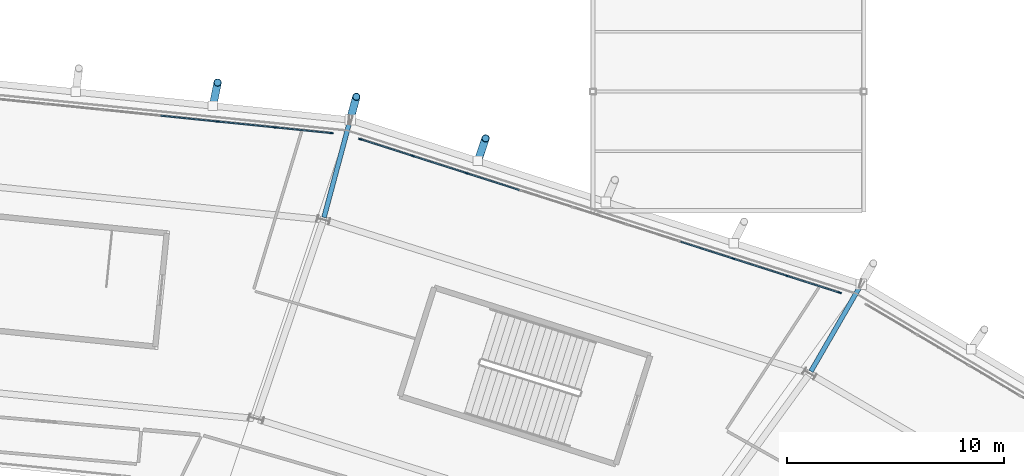
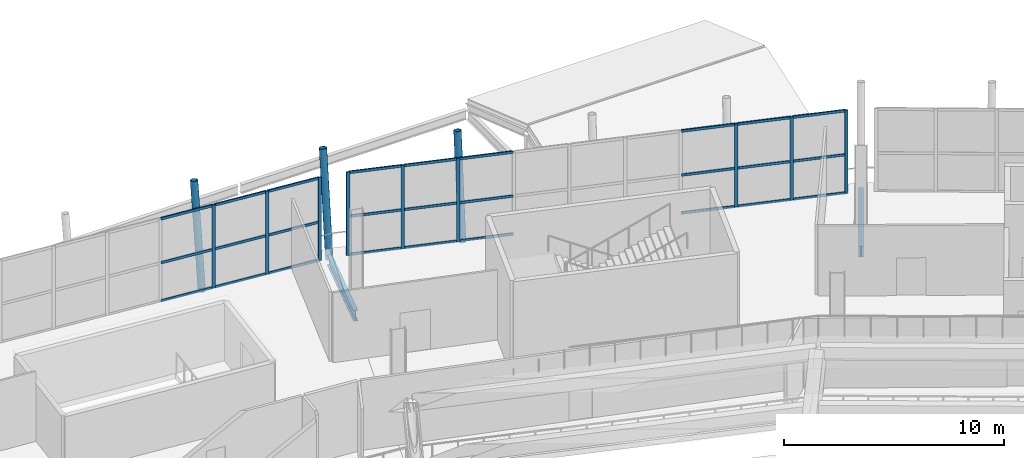
# One storey, part 57 of 126: 39 members, 2 beams, 2 elements without a shape of their own.
"""IFC4 building model written with IfcOpenShell, lengths in metres."""

from ifc_helpers import new_model, si_unit, direction, frame, origin, origin_2d, place, context, subcontext, project, spatial, rectangle, hollow_circle, i_section, extrude, material, material_profile, profile_set, type_object, element, aggregate, save


model = new_model("IFC4")

# Units and contexts
model_context = context("Model", 3, precision=1e-05, world=origin(), true_north=direction((0.0, 1.0)))
body_context = subcontext(model_context, "Body", "Model", "MODEL_VIEW")
ifc_project = project(units=[si_unit("LENGTHUNIT", "METRE"), si_unit("AREAUNIT", "SQUARE_METRE"), si_unit("VOLUMEUNIT", "CUBIC_METRE"), si_unit("PLANEANGLEUNIT", "RADIAN"), si_unit("MASSUNIT", "GRAM", prefix="KILO")], contexts=[model_context])

# Site, building, storey
site_placement = place(None, origin())
site = spatial("IfcSite", under=ifc_project, at=site_placement, CompositionType="ELEMENT")
building_placement = place(site_placement, origin())
building = spatial("IfcBuilding", under=site, at=building_placement, Name="Zlatoyarsky Gate Stadium", CompositionType="ELEMENT")
storey_placement = place(building_placement, frame((0.0, 0.0, 20.800048828125)))
storey = spatial("IfcBuildingStorey", under=building, at=storey_placement, Name="L04", CompositionType="ELEMENT", Elevation=20.800048828125)

# Curtain wall, members
ifc_material_1 = material(Name="Thermally broken anodised aluminium curtain wall", Category="aluminium")
curtain_wall_type = type_object("IfcCurtainWallType", Name="UNITISED MEDIA RING GLAZING L04", PredefinedType="USERDEFINED", material=ifc_material_1)
curtain_wall_1_placement = place(storey_placement, origin())
curtain_wall_1 = element("IfcCurtainWall", 1, at=curtain_wall_1_placement, inside=storey, type_object=curtain_wall_type, Name="Curtain wall CW-L04-04", ObjectType="UNITISED GLAZING", PredefinedType="USERDEFINED")
ifc_material_2 = material(Name="Anodised aluminium 6063-T6", Category="aluminium")
ifc_material_profile_1 = material_profile(ifc_material_2, rectangle(XDim=0.06494140625, YDim=0.159912109375, at=origin_2d()), Name="ALU 65X160")
ifc_profile_set_1 = profile_set([ifc_material_profile_1], Name="Anodised aluminium 6063-T6")
member_type_1 = type_object("IfcMemberType", Name="ALUMINIUM MULLION 65X160", PredefinedType="MULLION", material=ifc_profile_set_1)
member_1_placement = place(storey_placement, frame((158.884765625, 145.220458984375, 0.0), z_axis=(0.0, 0.0, 1.0), x_axis=(-0.305065730928, -0.952331297298, 0.0)))
member_1 = element("IfcMember", 2, at=member_1_placement, type_object=member_type_1, Name="CW-UG4 mullion 1", PredefinedType="MULLION", context=body_context, shape_type="SweptSolid", body=[
    extrude(rectangle(XDim=0.06494140625, YDim=0.159912109375, at=origin_2d()), origin(), (0.0, 0.0, 1.0), 4.619873046875),
])
member_2_placement = place(storey_placement, frame((156.4521484375, 145.999755859375, 0.0), z_axis=(0.0, 0.0, 1.0), x_axis=(-0.305065730928, -0.952331297298, 0.0)))
member_2 = element("IfcMember", 3, at=member_2_placement, type_object=member_type_1, Name="CW-UG4 mullion 2", PredefinedType="MULLION", context=body_context, shape_type="SweptSolid", body=[
    extrude(rectangle(XDim=0.06494140625, YDim=0.159912109375, at=origin_2d()), origin(), (0.0, 0.0, 1.0), 4.619873046875),
])
member_3_placement = place(storey_placement, frame((153.98828125, 146.788818359375, 0.0), z_axis=(0.0, 0.0, 1.0), x_axis=(-0.305065730928, -0.952331297298, 0.0)))
member_3 = element("IfcMember", 4, at=member_3_placement, type_object=member_type_1, Name="CW-UG4 mullion 3", PredefinedType="MULLION", context=body_context, shape_type="SweptSolid", body=[
    extrude(rectangle(XDim=0.06494140625, YDim=0.159912109375, at=origin_2d()), origin(), (0.0, 0.0, 1.0), 4.619873046875),
])
member_4_placement = place(storey_placement, frame((141.669921875, 150.73486328125, 0.0), z_axis=(0.0, 0.0, 1.0), x_axis=(-0.305065730928, -0.952331297298, 0.0)))
member_4 = element("IfcMember", 5, at=member_4_placement, type_object=member_type_1, Name="CW-UG4 mullion 8", PredefinedType="MULLION", context=body_context, shape_type="SweptSolid", body=[
    extrude(rectangle(XDim=0.06494140625, YDim=0.159912109375, at=origin_2d()), origin(), (0.0, 0.0, 1.0), 4.619873046875),
])
member_5_placement = place(storey_placement, frame((139.206298828125, 151.524169921875, 0.0), z_axis=(0.0, 0.0, 1.0), x_axis=(-0.305065730928, -0.952331297298, 0.0)))
member_5 = element("IfcMember", 6, at=member_5_placement, type_object=member_type_1, Name="CW-UG4 mullion 9", PredefinedType="MULLION", context=body_context, shape_type="SweptSolid", body=[
    extrude(rectangle(XDim=0.06494140625, YDim=0.159912109375, at=origin_2d()), origin(), (0.0, 0.0, 1.0), 4.619873046875),
])
member_6_placement = place(storey_placement, frame((136.7734375, 152.303466796875, 0.0), z_axis=(0.0, 0.0, 1.0), x_axis=(-0.305065730928, -0.952331297298, 0.0)))
member_6 = element("IfcMember", 7, at=member_6_placement, type_object=member_type_1, Name="CW-UG4 mullion 10", PredefinedType="MULLION", context=body_context, shape_type="SweptSolid", body=[
    extrude(rectangle(XDim=0.06494140625, YDim=0.159912109375, at=origin_2d()), origin(), (0.0, 0.0, 1.0), 4.619873046875),
])

curtain_wall_2_placement = place(storey_placement, origin())
curtain_wall_2 = element("IfcCurtainWall", 8, at=curtain_wall_2_placement, inside=storey, type_object=curtain_wall_type, Name="Curtain wall CW-L04-05", ObjectType="UNITISED GLAZING", PredefinedType="USERDEFINED")
member_7_placement = place(storey_placement, frame((135.444580078125, 152.580810546875, 0.0), z_axis=(0.0, 0.0, 1.0), x_axis=(-0.10129293102, -0.994856644007, 0.0)))
member_7 = element("IfcMember", 9, at=member_7_placement, type_object=member_type_1, Name="CW-UG4 mullion 1", PredefinedType="MULLION", context=body_context, shape_type="SweptSolid", body=[
    extrude(rectangle(XDim=0.06494140625, YDim=0.159912109375, at=origin_2d()), origin(), (0.0, 0.0, 1.0), 4.619873046875),
])
member_8_placement = place(storey_placement, frame((132.8291015625, 152.84716796875, 0.0), z_axis=(0.0, 0.0, 1.0), x_axis=(-0.10129293102, -0.994856644007, 0.0)))
member_8 = element("IfcMember", 10, at=member_8_placement, type_object=member_type_1, Name="CW-UG4 mullion 2", PredefinedType="MULLION", context=body_context, shape_type="SweptSolid", body=[
    extrude(rectangle(XDim=0.06494140625, YDim=0.159912109375, at=origin_2d()), origin(), (0.0, 0.0, 1.0), 4.619873046875),
])
member_9_placement = place(storey_placement, frame((130.18115234375, 153.11669921875, 0.0), z_axis=(0.0, 0.0, 1.0), x_axis=(-0.10129293102, -0.994856644007, 0.0)))
member_9 = element("IfcMember", 11, at=member_9_placement, type_object=member_type_1, Name="CW-UG4 mullion 3", PredefinedType="MULLION", context=body_context, shape_type="SweptSolid", body=[
    extrude(rectangle(XDim=0.06494140625, YDim=0.159912109375, at=origin_2d()), origin(), (0.0, 0.0, 1.0), 4.619873046875),
])

# Member
ifc_material_profile_2 = material_profile(ifc_material_2, rectangle(XDim=0.06494140625, YDim=0.139892578125, at=origin_2d()), Name="ALU 65X140")
ifc_profile_set_2 = profile_set([ifc_material_profile_2], Name="Anodised aluminium 6063-T6")
member_type_2 = type_object("IfcMemberType", Name="ALUMINIUM TRANSOM 65X140", PredefinedType="USERDEFINED", material=ifc_profile_set_2)
member_10_placement = place(storey_placement, frame((158.85400390625, 145.230224609375, 0.032470703125), z_axis=(-0.952325033937, 0.305085282729, 0.0), x_axis=(-0.305085282729, -0.952325033937, 0.0)))
member_10 = element("IfcMember", 12, at=member_10_placement, type_object=member_type_2, Name="CW-UG4 transom 1.1", ObjectType="TRANSOM", PredefinedType="USERDEFINED", context=body_context, shape_type="SweptSolid", body=[
    extrude(rectangle(XDim=0.06494140625, YDim=0.139892578125, at=origin_2d()), origin(), (0.0, 0.0, 1.0), 2.489501953125),
])

member_11_placement = place(storey_placement, frame((158.85400390625, 145.230224609375, 2.14990234375), z_axis=(-0.952325033937, 0.305085282729, 0.0), x_axis=(-0.305085282729, -0.952325033937, 0.0)))
member_11 = element("IfcMember", 13, at=member_11_placement, type_object=member_type_2, Name="CW-UG4 transom 1.2", ObjectType="TRANSOM", PredefinedType="USERDEFINED", context=body_context, shape_type="SweptSolid", body=[
    extrude(rectangle(XDim=0.06494140625, YDim=0.139892578125, at=origin_2d()), origin(), (0.0, 0.0, 1.0), 2.489501953125),
])

member_12_placement = place(storey_placement, frame((158.85400390625, 145.230224609375, 4.58740234375), z_axis=(-0.952325033937, 0.305085282729, 0.0), x_axis=(-0.305085282729, -0.952325033937, 0.0)))
member_12 = element("IfcMember", 14, at=member_12_placement, type_object=member_type_2, Name="CW-UG4 transom 1.3", ObjectType="TRANSOM", PredefinedType="USERDEFINED", context=body_context, shape_type="SweptSolid", body=[
    extrude(rectangle(XDim=0.06494140625, YDim=0.139892578125, at=origin_2d()), origin(), (0.0, 0.0, 1.0), 2.489501953125),
])

member_13_placement = place(storey_placement, frame((156.421142578125, 146.009521484375, 0.032470703125), z_axis=(-0.95231618878, 0.305112891546, 0.0), x_axis=(-0.305112891546, -0.95231618878, 0.0)))
member_13 = element("IfcMember", 15, at=member_13_placement, type_object=member_type_2, Name="CW-UG4 transom 2.1", ObjectType="TRANSOM", PredefinedType="USERDEFINED", context=body_context, shape_type="SweptSolid", body=[
    extrude(rectangle(XDim=0.06494140625, YDim=0.139892578125, at=origin_2d()), origin(), (0.0, 0.0, 1.0), 2.522216796875),
])

member_14_placement = place(storey_placement, frame((156.421142578125, 146.009521484375, 2.14990234375), z_axis=(-0.95231618878, 0.305112891546, 0.0), x_axis=(-0.305112891546, -0.95231618878, 0.0)))
member_14 = element("IfcMember", 16, at=member_14_placement, type_object=member_type_2, Name="CW-UG4 transom 2.2", ObjectType="TRANSOM", PredefinedType="USERDEFINED", context=body_context, shape_type="SweptSolid", body=[
    extrude(rectangle(XDim=0.06494140625, YDim=0.139892578125, at=origin_2d()), origin(), (0.0, 0.0, 1.0), 2.522216796875),
])

member_15_placement = place(storey_placement, frame((156.421142578125, 146.009521484375, 4.58740234375), z_axis=(-0.95231618878, 0.305112891546, 0.0), x_axis=(-0.305112891546, -0.95231618878, 0.0)))
member_15 = element("IfcMember", 17, at=member_15_placement, type_object=member_type_2, Name="CW-UG4 transom 2.3", ObjectType="TRANSOM", PredefinedType="USERDEFINED", context=body_context, shape_type="SweptSolid", body=[
    extrude(rectangle(XDim=0.06494140625, YDim=0.139892578125, at=origin_2d()), origin(), (0.0, 0.0, 1.0), 2.522216796875),
])

member_16_placement = place(storey_placement, frame((153.95751953125, 146.798828125, 0.032470703125), z_axis=(-0.952344312089, 0.305025099349, 0.0), x_axis=(-0.305025099349, -0.952344312089, 0.0)))
member_16 = element("IfcMember", 18, at=member_16_placement, type_object=member_type_2, Name="CW-UG4 transom 3.1", ObjectType="TRANSOM", PredefinedType="USERDEFINED", context=body_context, shape_type="SweptSolid", body=[
    extrude(rectangle(XDim=0.06494140625, YDim=0.139892578125, at=origin_2d()), origin(), (0.0, 0.0, 1.0), 2.52197265625),
])

member_17_placement = place(storey_placement, frame((153.95751953125, 146.798828125, 2.14990234375), z_axis=(-0.952344312089, 0.305025099349, 0.0), x_axis=(-0.305025099349, -0.952344312089, 0.0)))
member_17 = element("IfcMember", 19, at=member_17_placement, type_object=member_type_2, Name="CW-UG4 transom 3.2", ObjectType="TRANSOM", PredefinedType="USERDEFINED", context=body_context, shape_type="SweptSolid", body=[
    extrude(rectangle(XDim=0.06494140625, YDim=0.139892578125, at=origin_2d()), origin(), (0.0, 0.0, 1.0), 2.52197265625),
])

member_18_placement = place(storey_placement, frame((153.95751953125, 146.798828125, 4.58740234375), z_axis=(-0.952344312089, 0.305025099349, 0.0), x_axis=(-0.305025099349, -0.952344312089, 0.0)))
member_18 = element("IfcMember", 20, at=member_18_placement, type_object=member_type_2, Name="CW-UG4 transom 3.3", ObjectType="TRANSOM", PredefinedType="USERDEFINED", context=body_context, shape_type="SweptSolid", body=[
    extrude(rectangle(XDim=0.06494140625, YDim=0.139892578125, at=origin_2d()), origin(), (0.0, 0.0, 1.0), 2.52197265625),
])

member_19_placement = place(storey_placement, frame((144.1025390625, 149.95556640625, 0.032470703125), z_axis=(-0.952307176067, 0.305141020531, 0.0), x_axis=(-0.305141020531, -0.952307176067, 0.0)))
member_19 = element("IfcMember", 21, at=member_19_placement, type_object=member_type_2, Name="CW-UG4 transom 7.1", ObjectType="TRANSOM", PredefinedType="USERDEFINED", context=body_context, shape_type="SweptSolid", body=[
    extrude(rectangle(XDim=0.06494140625, YDim=0.139892578125, at=origin_2d()), origin(), (0.0, 0.0, 1.0), 2.52197265625),
])

member_20_placement = place(storey_placement, frame((144.1025390625, 149.95556640625, 2.14990234375), z_axis=(-0.952307176067, 0.305141020531, 0.0), x_axis=(-0.305141020531, -0.952307176067, 0.0)))
member_20 = element("IfcMember", 22, at=member_20_placement, type_object=member_type_2, Name="CW-UG4 transom 7.2", ObjectType="TRANSOM", PredefinedType="USERDEFINED", context=body_context, shape_type="SweptSolid", body=[
    extrude(rectangle(XDim=0.06494140625, YDim=0.139892578125, at=origin_2d()), origin(), (0.0, 0.0, 1.0), 2.52197265625),
])

member_21_placement = place(storey_placement, frame((144.1025390625, 149.95556640625, 4.58740234375), z_axis=(-0.952307176067, 0.305141020531, 0.0), x_axis=(-0.305141020531, -0.952307176067, 0.0)))
member_21 = element("IfcMember", 23, at=member_21_placement, type_object=member_type_2, Name="CW-UG4 transom 7.3", ObjectType="TRANSOM", PredefinedType="USERDEFINED", context=body_context, shape_type="SweptSolid", body=[
    extrude(rectangle(XDim=0.06494140625, YDim=0.139892578125, at=origin_2d()), origin(), (0.0, 0.0, 1.0), 2.52197265625),
])

member_22_placement = place(storey_placement, frame((141.638916015625, 150.744873046875, 0.032470703125), z_axis=(-0.952344312089, 0.305025099349, 0.0), x_axis=(-0.305025099349, -0.952344312089, 0.0)))
member_22 = element("IfcMember", 24, at=member_22_placement, type_object=member_type_2, Name="CW-UG4 transom 8.1", ObjectType="TRANSOM", PredefinedType="USERDEFINED", context=body_context, shape_type="SweptSolid", body=[
    extrude(rectangle(XDim=0.06494140625, YDim=0.139892578125, at=origin_2d()), origin(), (0.0, 0.0, 1.0), 2.52197265625),
])

member_23_placement = place(storey_placement, frame((141.638916015625, 150.744873046875, 2.14990234375), z_axis=(-0.952344312089, 0.305025099349, 0.0), x_axis=(-0.305025099349, -0.952344312089, 0.0)))
member_23 = element("IfcMember", 25, at=member_23_placement, type_object=member_type_2, Name="CW-UG4 transom 8.2", ObjectType="TRANSOM", PredefinedType="USERDEFINED", context=body_context, shape_type="SweptSolid", body=[
    extrude(rectangle(XDim=0.06494140625, YDim=0.139892578125, at=origin_2d()), origin(), (0.0, 0.0, 1.0), 2.52197265625),
])

member_24_placement = place(storey_placement, frame((141.638916015625, 150.744873046875, 4.58740234375), z_axis=(-0.952344312089, 0.305025099349, 0.0), x_axis=(-0.305025099349, -0.952344312089, 0.0)))
member_24 = element("IfcMember", 26, at=member_24_placement, type_object=member_type_2, Name="CW-UG4 transom 8.3", ObjectType="TRANSOM", PredefinedType="USERDEFINED", context=body_context, shape_type="SweptSolid", body=[
    extrude(rectangle(XDim=0.06494140625, YDim=0.139892578125, at=origin_2d()), origin(), (0.0, 0.0, 1.0), 2.52197265625),
])

member_25_placement = place(storey_placement, frame((139.17529296875, 151.5341796875, 0.032470703125), z_axis=(-0.952353522949, 0.304996339859, 0.0), x_axis=(-0.304996339859, -0.952353522949, 0.0)))
member_25 = element("IfcMember", 27, at=member_25_placement, type_object=member_type_2, Name="CW-UG4 transom 9.1", ObjectType="TRANSOM", PredefinedType="USERDEFINED", context=body_context, shape_type="SweptSolid", body=[
    extrude(rectangle(XDim=0.06494140625, YDim=0.139892578125, at=origin_2d()), origin(), (0.0, 0.0, 1.0), 2.489501953125),
])

member_26_placement = place(storey_placement, frame((139.17529296875, 151.5341796875, 2.14990234375), z_axis=(-0.952353522949, 0.304996339859, 0.0), x_axis=(-0.304996339859, -0.952353522949, 0.0)))
member_26 = element("IfcMember", 28, at=member_26_placement, type_object=member_type_2, Name="CW-UG4 transom 9.2", ObjectType="TRANSOM", PredefinedType="USERDEFINED", context=body_context, shape_type="SweptSolid", body=[
    extrude(rectangle(XDim=0.06494140625, YDim=0.139892578125, at=origin_2d()), origin(), (0.0, 0.0, 1.0), 2.489501953125),
])

member_27_placement = place(storey_placement, frame((139.17529296875, 151.5341796875, 4.58740234375), z_axis=(-0.952353522949, 0.304996339859, 0.0), x_axis=(-0.304996339859, -0.952353522949, 0.0)))
member_27 = element("IfcMember", 29, at=member_27_placement, type_object=member_type_2, Name="CW-UG4 transom 9.3", ObjectType="TRANSOM", PredefinedType="USERDEFINED", context=body_context, shape_type="SweptSolid", body=[
    extrude(rectangle(XDim=0.06494140625, YDim=0.139892578125, at=origin_2d()), origin(), (0.0, 0.0, 1.0), 2.489501953125),
])

aggregate(curtain_wall_1, [member_1, member_2, member_3, member_4, member_5, member_6, member_10, member_11, member_12, member_13, member_14, member_15, member_16, member_17, member_18, member_19, member_20, member_21, member_22, member_23, member_24, member_25, member_26, member_27])

member_28_placement = place(storey_placement, frame((135.412109375, 152.583984375, 0.032470703125), z_axis=(-0.994854532234, 0.101313669822, 0.0), x_axis=(-0.101313669822, -0.994854532234, 0.0)))
member_28 = element("IfcMember", 30, at=member_28_placement, type_object=member_type_2, Name="CW-UG4 transom 1.1", ObjectType="TRANSOM", PredefinedType="USERDEFINED", context=body_context, shape_type="SweptSolid", body=[
    extrude(rectangle(XDim=0.06494140625, YDim=0.139892578125, at=origin_2d()), origin(), (0.0, 0.0, 1.0), 2.56396484375),
])

member_29_placement = place(storey_placement, frame((135.412109375, 152.583984375, 2.14990234375), z_axis=(-0.994854532234, 0.101313669822, 0.0), x_axis=(-0.101313669822, -0.994854532234, 0.0)))
member_29 = element("IfcMember", 31, at=member_29_placement, type_object=member_type_2, Name="CW-UG4 transom 1.2", ObjectType="TRANSOM", PredefinedType="USERDEFINED", context=body_context, shape_type="SweptSolid", body=[
    extrude(rectangle(XDim=0.06494140625, YDim=0.139892578125, at=origin_2d()), origin(), (0.0, 0.0, 1.0), 2.56396484375),
])

member_30_placement = place(storey_placement, frame((135.412109375, 152.583984375, 4.58740234375), z_axis=(-0.994854532234, 0.101313669822, 0.0), x_axis=(-0.101313669822, -0.994854532234, 0.0)))
member_30 = element("IfcMember", 32, at=member_30_placement, type_object=member_type_2, Name="CW-UG4 transom 1.3", ObjectType="TRANSOM", PredefinedType="USERDEFINED", context=body_context, shape_type="SweptSolid", body=[
    extrude(rectangle(XDim=0.06494140625, YDim=0.139892578125, at=origin_2d()), origin(), (0.0, 0.0, 1.0), 2.56396484375),
])

member_31_placement = place(storey_placement, frame((132.796630859375, 152.850341796875, 0.032470703125), z_axis=(-0.994858725957, 0.101272480894, 0.0), x_axis=(-0.101272480894, -0.994858725957, 0.0)))
member_31 = element("IfcMember", 33, at=member_31_placement, type_object=member_type_2, Name="CW-UG4 transom 2.1", ObjectType="TRANSOM", PredefinedType="USERDEFINED", context=body_context, shape_type="SweptSolid", body=[
    extrude(rectangle(XDim=0.06494140625, YDim=0.139892578125, at=origin_2d()), origin(), (0.0, 0.0, 1.0), 2.596435546875),
])

member_32_placement = place(storey_placement, frame((132.796630859375, 152.850341796875, 2.14990234375), z_axis=(-0.994858725957, 0.101272480894, 0.0), x_axis=(-0.101272480894, -0.994858725957, 0.0)))
member_32 = element("IfcMember", 34, at=member_32_placement, type_object=member_type_2, Name="CW-UG4 transom 2.2", ObjectType="TRANSOM", PredefinedType="USERDEFINED", context=body_context, shape_type="SweptSolid", body=[
    extrude(rectangle(XDim=0.06494140625, YDim=0.139892578125, at=origin_2d()), origin(), (0.0, 0.0, 1.0), 2.596435546875),
])

member_33_placement = place(storey_placement, frame((132.796630859375, 152.850341796875, 4.58740234375), z_axis=(-0.994858725957, 0.101272480894, 0.0), x_axis=(-0.101272480894, -0.994858725957, 0.0)))
member_33 = element("IfcMember", 35, at=member_33_placement, type_object=member_type_2, Name="CW-UG4 transom 2.3", ObjectType="TRANSOM", PredefinedType="USERDEFINED", context=body_context, shape_type="SweptSolid", body=[
    extrude(rectangle(XDim=0.06494140625, YDim=0.139892578125, at=origin_2d()), origin(), (0.0, 0.0, 1.0), 2.596435546875),
])

member_34_placement = place(storey_placement, frame((130.14892578125, 153.119873046875, 0.032470703125), z_axis=(-0.99485021383, 0.101356065637, 0.0), x_axis=(-0.101356065637, -0.99485021383, 0.0)))
member_34 = element("IfcMember", 36, at=member_34_placement, type_object=member_type_2, Name="CW-UG4 transom 3.1", ObjectType="TRANSOM", PredefinedType="USERDEFINED", context=body_context, shape_type="SweptSolid", body=[
    extrude(rectangle(XDim=0.06494140625, YDim=0.139892578125, at=origin_2d()), origin(), (0.0, 0.0, 1.0), 2.5966796875),
])

member_35_placement = place(storey_placement, frame((130.14892578125, 153.119873046875, 2.14990234375), z_axis=(-0.99485021383, 0.101356065637, 0.0), x_axis=(-0.101356065637, -0.99485021383, 0.0)))
member_35 = element("IfcMember", 37, at=member_35_placement, type_object=member_type_2, Name="CW-UG4 transom 3.2", ObjectType="TRANSOM", PredefinedType="USERDEFINED", context=body_context, shape_type="SweptSolid", body=[
    extrude(rectangle(XDim=0.06494140625, YDim=0.139892578125, at=origin_2d()), origin(), (0.0, 0.0, 1.0), 2.5966796875),
])

member_36_placement = place(storey_placement, frame((130.14892578125, 153.119873046875, 4.58740234375), z_axis=(-0.99485021383, 0.101356065637, 0.0), x_axis=(-0.101356065637, -0.99485021383, 0.0)))
member_36 = element("IfcMember", 38, at=member_36_placement, type_object=member_type_2, Name="CW-UG4 transom 3.3", ObjectType="TRANSOM", PredefinedType="USERDEFINED", context=body_context, shape_type="SweptSolid", body=[
    extrude(rectangle(XDim=0.06494140625, YDim=0.139892578125, at=origin_2d()), origin(), (0.0, 0.0, 1.0), 2.5966796875),
])

aggregate(curtain_wall_2, [member_7, member_8, member_9, member_28, member_29, member_30, member_31, member_32, member_33, member_34, member_35, member_36])

# Beams
ifc_material_3 = material(Name="Steel S355", Category="steel")
ifc_material_profile_3 = material_profile(ifc_material_3, i_section(OverallWidth=0.219970703125, OverallDepth=0.60009765625, WebThickness=0.011962890625, FlangeThickness=0.01904296875, FilletRadius=0.02392578125, at=origin_2d()), Name="IPE 600")
ifc_profile_set_3 = profile_set([ifc_material_profile_3], Name="Steel S355")
beam_type = type_object("IfcBeamType", Name="STEEL CANTILEVER FLOOR BEAM IPE 600", PredefinedType="BEAM", material=ifc_profile_set_3)
beam_1_placement = place(storey_placement, frame((157.56005859375, 141.591796875, -0.60009765625), z_axis=(0.499990627519, 0.866030814921, 0.0), x_axis=(-0.866030814921, 0.499990627519, 0.0)))
element("IfcBeam", 39, at=beam_1_placement, inside=storey, type_object=beam_type, Name="Beam B-IPE600 BM-L04-OUT-04", PredefinedType="BEAM", context=body_context, shape_type="SweptSolid", body=[
    extrude(i_section(OverallWidth=0.219970703125, OverallDepth=0.60009765625, WebThickness=0.011962890625, FlangeThickness=0.01904296875, FilletRadius=0.02392578125, at=origin_2d()), origin(), (0.0, 0.0, 1.0), 4.6494140625),
])
beam_2_placement = place(storey_placement, frame((135.101318359375, 148.696533203125, -0.60009765625), z_axis=(0.258809573134, 0.965928364246, 0.0), x_axis=(-0.965928364246, 0.258809573134, 0.0)))
element("IfcBeam", 40, at=beam_2_placement, inside=storey, type_object=beam_type, Name="Beam B-IPE600 BM-L04-OUT-05", PredefinedType="BEAM", context=body_context, shape_type="SweptSolid", body=[
    extrude(i_section(OverallWidth=0.219970703125, OverallDepth=0.60009765625, WebThickness=0.011962890625, FlangeThickness=0.01904296875, FilletRadius=0.02392578125, at=origin_2d()), origin(), (0.0, 0.0, 1.0), 4.649658203125),
])

# Members
ifc_material_profile_4 = material_profile(ifc_material_3, hollow_circle(Radius=0.177734375, WallThickness=0.02001953125, at=origin_2d()), Name="CHS 355.6X20")
ifc_profile_set_4 = profile_set([ifc_material_profile_4], Name="Steel S355")
member_type_3 = type_object("IfcMemberType", Name="STEEL LEANING RIB RING STRUT CHS 355.6X20", PredefinedType="STRUT", material=ifc_profile_set_4)
member_37_placement = place(storey_placement, frame((136.3046875, 153.187744140625, -0.60009765625), z_axis=(0.05167118686, 0.192876447293, 0.979861604783), x_axis=(-0.965938221939, 0.258772779475, 0.0)))
element("IfcMember", 41, at=member_37_placement, inside=storey, type_object=member_type_3, Name="Leaning ring strut 05 L04 to L05", PredefinedType="STRUT", context=body_context, shape_type="SweptSolid", body=[
    extrude(hollow_circle(Radius=0.177734375, WallThickness=0.02001953125, at=origin_2d()), origin(), (0.0, 0.0, 1.0), 5.5517578125),
])
for number, where, z_axis, x_axis, name in (
    (42, (142.19970703125, 151.29541015625, -0.550048828125), (0.06373698872, 0.187911950182, 0.980115654016), (-0.947007602711, 0.321211146144, 0.0), "Outward-leaning bowl louvre fin rib L04 04-3"),
    (43, (129.978515625, 153.833251953125, -0.550048828125), (0.038752502821, 0.194598266151, 0.980117216631), (-0.980742343019, 0.195306058815, 0.0), "Outward-leaning bowl louvre fin rib L04 05-1"),
):
    element("IfcMember", number, at=place(storey_placement, frame(where, z_axis=z_axis, x_axis=x_axis)), inside=storey, type_object=member_type_3, Name=name, PredefinedType="STRUT", context=body_context, shape_type="SweptSolid", body=[
        extrude(hollow_circle(Radius=0.177734375, WallThickness=0.02001953125, at=origin_2d()), origin(), (0.0, 0.0, 1.0), 5.55029296875),
    ])

save(model, "model.ifc")
